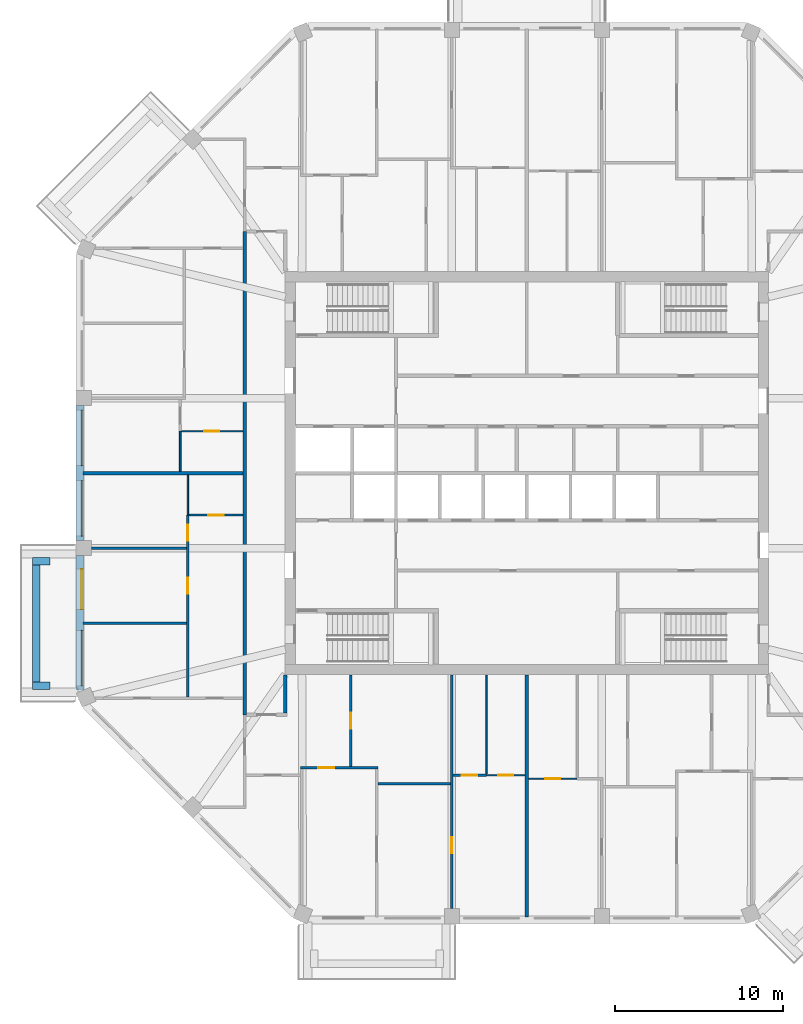
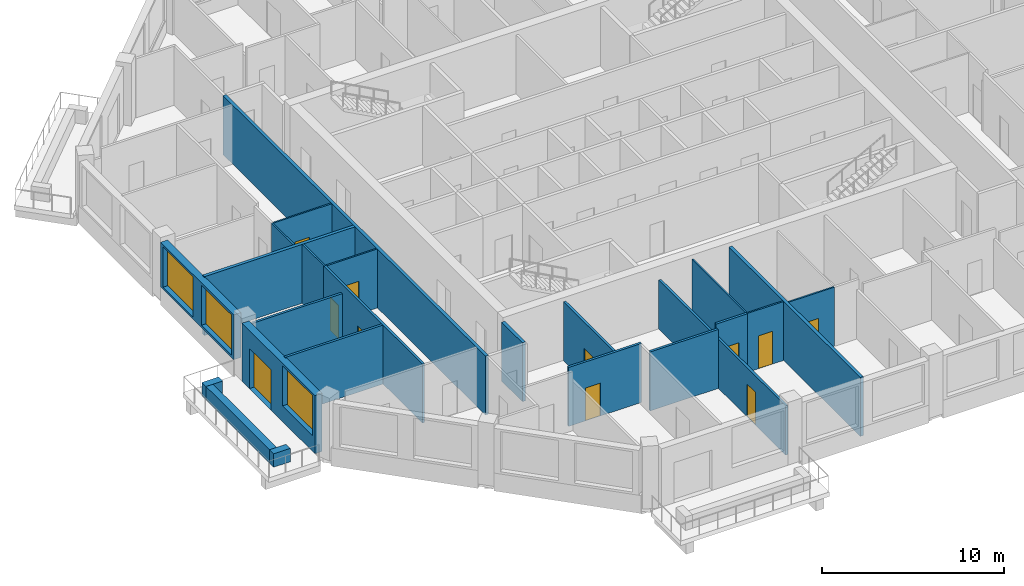
# One storey, part 3 of 11: 24 walls, 11 doors, 3 windows, 14 openings.
"""IFC4 building model written with IfcOpenShell, lengths in metres."""

from ifc_helpers import new_model, si_unit, direction, frame, frame_2d, origin, place, context, subcontext, project, spatial, rectangle, extrude, material, layer, layer_set, type_object, element, fill, save


model = new_model("IFC4")

# Units and contexts
model_context = context("Model", 3, precision=1e-05, world=origin(), true_north=direction((0.0, 1.0)))
body_context = subcontext(model_context, "Body", "Model", "MODEL_VIEW")
ifc_project = project(units=[si_unit("LENGTHUNIT", "METRE"), si_unit("AREAUNIT", "SQUARE_METRE"), si_unit("VOLUMEUNIT", "CUBIC_METRE"), si_unit("PLANEANGLEUNIT", "RADIAN"), si_unit("MASSUNIT", "GRAM", prefix="KILO")], contexts=[model_context])

# Site, building, storey
site_placement = place(None, origin())
site = spatial("IfcSite", under=ifc_project, at=site_placement, CompositionType="ELEMENT")
building_placement = place(site_placement, origin())
building = spatial("IfcBuilding", under=site, at=building_placement, Name="Msitu Wima Residences", CompositionType="ELEMENT")
storey_placement = place(building_placement, frame((0.0, 0.0, 226.5)))
storey = spatial("IfcBuildingStorey", under=building, at=storey_placement, Name="L52", CompositionType="ELEMENT", Elevation=226.5)

# Walls
ifc_material_1 = material(Name="Facing brick")
ifc_layer_1 = layer(ifc_material_1, 0.06494140625, Name="Facing brick")
ifc_material_2 = material(Name="Concrete C40/50", Category="concrete")
ifc_layer_2 = layer(ifc_material_2, 0.156005859375, Name="Concrete C40/50")
ifc_material_3 = material(Name="Waterproofing membrane")
ifc_layer_3 = layer(ifc_material_3, 0.00390625, Name="Waterproofing membrane")
ifc_material_4 = material(Name="Planting soil and planting")
ifc_layer_4 = layer(ifc_material_4, 0.22509765625, Name="Planting soil and planting")
ifc_layer_set_1 = layer_set([ifc_layer_1, ifc_layer_2, ifc_layer_3, ifc_layer_4], Name="Concrete C40/50")
wall_type_1 = type_object("IfcWallType", Name="Balcony planter PLANTER PL450", PredefinedType="USERDEFINED", material=ifc_layer_set_1)
wall_1_placement = place(storey_placement, frame((-29.22509765625, -5.468505859375, 0.0), z_axis=(0.0, 0.0, 1.0), x_axis=(0.0, -1.0, 0.0)))
element("IfcWall", 1, at=wall_1_placement, inside=storey, type_object=wall_type_1, Name="Balcony planter W2 L52", ObjectType="PLANTER", PredefinedType="USERDEFINED", context=body_context, shape_type="SweptSolid", body=[
    extrude(rectangle(XDim=6.9873046875, YDim=0.449951171875, at=frame_2d((3.49365234375, 0.0))), origin(), (0.0, 0.0, 1.0), 0.89990234375),
])
for number, where, z_axis, x_axis, name in (
    (2, (-28.39990234375, -5.24365234375, 0.0), (0.0, 0.0, 1.0), (-1.0, 0.0, 0.0), "Balcony planter W2 L52"),
    (3, (-28.39990234375, -12.680908203125, 0.0), (0.0, 0.0, 1.0), (-1.0, 0.0, 0.0), "Balcony planter W2 L52"),
):
    element("IfcWall", number, at=place(storey_placement, frame(where, z_axis=z_axis, x_axis=x_axis)), inside=storey, type_object=wall_type_1, Name=name, ObjectType="PLANTER", PredefinedType="USERDEFINED", context=body_context, shape_type="SweptSolid", body=[
        extrude(rectangle(XDim=1.050048828125, YDim=0.449951171875, at=frame_2d((0.52490234375, 0.0))), origin(), (0.0, 0.0, 1.0), 0.89990234375),
    ])

# Wall, openings, windows
ifc_material_5 = material(Name="Brick (red buff mix)", Category="masonry")
ifc_layer_5 = layer(ifc_material_5, 0.449951171875)
ifc_layer_set_2 = layer_set([ifc_layer_5], Name="Brick (red buff mix)")
wall_type_2 = type_object("IfcWallType", Name="Brick infill wall BW450", PredefinedType="SOLIDWALL", material=ifc_layer_set_2)
wall_2_placement = place(storey_placement, frame((-26.625, 4.0185546875, 0.89990234375), z_axis=(0.0, 0.0, 1.0), x_axis=(0.0, -1.0, 0.0)))
wall_2 = element("IfcWall", 4, at=wall_2_placement, inside=storey, type_object=wall_type_2, Name="Brick infill wall L52 W1", PredefinedType="SOLIDWALL", context=body_context, shape_type="SweptSolid", body=[
    extrude(rectangle(XDim=8.037109375, YDim=0.449951171875, at=frame_2d((4.0185546875, 0.0))), origin(), (0.0, 0.0, 1.0), 3.0),
])
opening_1_placement = place(wall_2_placement, frame((0.2685546875, 0.0, 0.14990234375)))
opening_1 = element("IfcOpeningElement", 5, at=opening_1_placement, cuts=wall_2, Name="Opening W52-54.031", PredefinedType="OPENING", context=body_context, shape_type="SweptSolid", body=[
    extrude(rectangle(XDim=3.300048828125, YDim=2.699951171875, at=frame_2d((1.64990234375, 1.35009765625))), frame((0.0, 0.23486328125, 0.0), z_axis=(0.0, -1.0, 0.0), x_axis=(1.0, 0.0, 0.0)), (0.0, 0.0, 1.0), 0.469970703125),
])
opening_2_placement = place(wall_2_placement, frame((4.46875, 0.0, 0.14990234375)))
opening_2 = element("IfcOpeningElement", 6, at=opening_2_placement, cuts=wall_2, Name="Opening W52-54.032", PredefinedType="OPENING", context=body_context, shape_type="SweptSolid", body=[
    extrude(rectangle(XDim=3.300048828125, YDim=2.699951171875, at=frame_2d((1.64990234375, 1.35009765625))), frame((0.0, 0.23486328125, 0.0), z_axis=(0.0, -1.0, 0.0), x_axis=(1.0, 0.0, 0.0)), (0.0, 0.0, 1.0), 0.469970703125),
])
ifc_material_6 = material(Name="Anodised aluminium, bronze finish, clear low-emissivity double glazing", Category="aluminium")
window_type = type_object("IfcWindowType", Name="Window W3300x2700", PartitioningType="DOUBLE_PANEL_VERTICAL", PredefinedType="WINDOW", material=ifc_material_6)
window_1_placement = place(opening_1_placement, origin())
window_1 = element("IfcWindow", 7, at=window_1_placement, inside=storey, type_object=window_type, Name="Window L52 W1.1", OverallHeight=2.699951171875, OverallWidth=3.300048828125, PartitioningType="SINGLE_PANEL", PredefinedType="WINDOW", context=body_context, shape_type="SweptSolid", body=[
    extrude(rectangle(XDim=3.300048828125, YDim=2.699951171875, at=frame_2d((1.64990234375, 1.35009765625))), frame((0.0, 0.135009765625, 0.0), z_axis=(0.0, -1.0, 0.0), x_axis=(1.0, 0.0, 0.0)), (0.0, 0.0, 1.0), 0.06005859375),
])
fill(opening_1, window_1)
window_2_placement = place(opening_2_placement, origin())
window_2 = element("IfcWindow", 8, at=window_2_placement, inside=storey, type_object=window_type, Name="Window L52 W1.2", OverallHeight=2.699951171875, OverallWidth=3.300048828125, PartitioningType="SINGLE_PANEL", PredefinedType="WINDOW", context=body_context, shape_type="SweptSolid", body=[
    extrude(rectangle(XDim=3.300048828125, YDim=2.699951171875, at=frame_2d((1.64990234375, 1.35009765625))), frame((0.0, 0.135009765625, 0.0), z_axis=(0.0, -1.0, 0.0), x_axis=(1.0, 0.0, 0.0)), (0.0, 0.0, 1.0), 0.06005859375),
])
fill(opening_2, window_2)

# Wall, openings, door, window
wall_3_placement = place(storey_placement, frame((-26.625, -4.918701171875, 0.0), z_axis=(0.0, 0.0, 1.0), x_axis=(0.0, -1.0, 0.0)))
wall_3 = element("IfcWall", 9, at=wall_3_placement, inside=storey, type_object=wall_type_2, Name="Brick infill wall L52 W2", PredefinedType="SOLIDWALL", context=body_context, shape_type="SweptSolid", body=[
    extrude(rectangle(XDim=8.0, YDim=0.449951171875, at=frame_2d((4.0, 0.0))), origin(), (0.0, 0.0, 1.0), 3.89990234375),
])
opening_3_placement = place(wall_3_placement, frame((0.800048828125, 0.0, 0.0)))
opening_3 = element("IfcOpeningElement", 10, at=opening_3_placement, cuts=wall_3, Name="Opening D52-54.007", PredefinedType="OPENING", context=body_context, shape_type="SweptSolid", body=[
    extrude(rectangle(XDim=2.39990234375, YDim=2.699951171875, at=frame_2d((1.199951171875, 1.35009765625))), frame((0.0, 0.23486328125, 0.0), z_axis=(0.0, -1.0, 0.0), x_axis=(1.0, 0.0, 0.0)), (0.0, 0.0, 1.0), 0.469970703125),
])
opening_4_placement = place(wall_3_placement, frame((4.4501953125, 0.0, 1.050048828125)))
opening_4 = element("IfcOpeningElement", 11, at=opening_4_placement, cuts=wall_3, Name="Opening W52-54.033", PredefinedType="OPENING", context=body_context, shape_type="SweptSolid", body=[
    extrude(rectangle(XDim=3.300048828125, YDim=2.699951171875, at=frame_2d((1.64990234375, 1.35009765625))), frame((0.0, 0.23486328125, 0.0), z_axis=(0.0, -1.0, 0.0), x_axis=(1.0, 0.0, 0.0)), (0.0, 0.0, 1.0), 0.469970703125),
])
door_type_1 = type_object("IfcDoorType", Name="Balcony door D2400x2700", OperationType="SLIDING_TO_LEFT", PredefinedType="DOOR", material=ifc_material_6)
door_1_placement = place(opening_3_placement, origin())
door_1 = element("IfcDoor", 12, at=door_1_placement, inside=storey, type_object=door_type_1, Name="Balcony door L52 W2", OperationType="SINGLE_SWING_LEFT", OverallHeight=2.699951171875, OverallWidth=2.39990234375, PredefinedType="DOOR", context=body_context, shape_type="SweptSolid", body=[
    extrude(rectangle(XDim=2.39990234375, YDim=2.699951171875, at=frame_2d((1.199951171875, 1.35009765625))), frame((0.0, 0.1298828125, 0.0), z_axis=(0.0, -1.0, 0.0), x_axis=(1.0, 0.0, 0.0)), (0.0, 0.0, 1.0), 0.050048828125),
])
fill(opening_3, door_1)
window_3_placement = place(opening_4_placement, origin())
window_3 = element("IfcWindow", 13, at=window_3_placement, inside=storey, type_object=window_type, Name="Window L52 W2.2", OverallHeight=2.699951171875, OverallWidth=3.300048828125, PartitioningType="SINGLE_PANEL", PredefinedType="WINDOW", context=body_context, shape_type="SweptSolid", body=[
    extrude(rectangle(XDim=3.300048828125, YDim=2.699951171875, at=frame_2d((1.64990234375, 1.35009765625))), frame((0.0, 0.135009765625, 0.0), z_axis=(0.0, -1.0, 0.0), x_axis=(1.0, 0.0, 0.0)), (0.0, 0.0, 1.0), 0.06005859375),
])
fill(opening_4, window_3)

# Walls
ifc_material_7 = material(Name="Plaster")
ifc_layer_6 = layer(ifc_material_7, 0.011962890625, Name="Plaster")
ifc_material_8 = material(Name="Concrete blockwork", Category="masonry")
ifc_layer_7 = layer(ifc_material_8, 0.176025390625, Name="Concrete blockwork")
ifc_layer_8 = layer(ifc_material_7, 0.011962890625, Name="Plaster")
ifc_layer_set_3 = layer_set([ifc_layer_6, ifc_layer_7, ifc_layer_8], Name="Concrete blockwork")
wall_type_3 = type_object("IfcWallType", Name="Corridor wall FW200", PredefinedType="PARTITIONING", material=ifc_layer_set_3)
wall_4_placement = place(storey_placement, frame((-16.800048828125, -14.39990234375, 0.0), z_axis=(0.0, 0.0, 1.0), x_axis=(0.0, 1.0, 0.0)))
element("IfcWall", 14, at=wall_4_placement, inside=storey, type_object=wall_type_3, Name="Corridor wall", PredefinedType="PARTITIONING", context=body_context, shape_type="SweptSolid", body=[
    extrude(rectangle(XDim=28.7998046875, YDim=0.199951171875, at=frame_2d((14.39990234375, 0.0))), origin(), (0.0, 0.0, 1.0), 3.949951171875),
])
wall_5_placement = place(storey_placement, frame((-14.39990234375, -14.300048828125, 0.0), z_axis=(0.0, 0.0, 1.0), x_axis=(0.0, 1.0, 0.0)))
element("IfcWall", 15, at=wall_5_placement, inside=storey, type_object=wall_type_3, Name="Corridor wall", PredefinedType="PARTITIONING", context=body_context, shape_type="SweptSolid", body=[
    extrude(rectangle(XDim=2.27001953125, YDim=0.199951171875, at=frame_2d((1.135009765625, 0.0))), origin(), (0.0, 0.0, 1.0), 3.949951171875),
])
ifc_layer_9 = layer(ifc_material_7, 0.011962890625, Name="Plaster")
ifc_layer_10 = layer(ifc_material_8, 0.1259765625, Name="Concrete blockwork")
ifc_layer_11 = layer(ifc_material_7, 0.011962890625, Name="Plaster")
ifc_layer_set_4 = layer_set([ifc_layer_9, ifc_layer_10, ifc_layer_11], Name="Concrete blockwork")
wall_type_4 = type_object("IfcWallType", Name="Partition PW150", PredefinedType="PARTITIONING", material=ifc_layer_set_4)
wall_6_placement = place(storey_placement, frame((-26.455078125, -8.937255859375, 0.0), z_axis=(0.0, 0.0, 1.0), x_axis=(1.0, 0.0, 0.0)))
element("IfcWall", 16, at=wall_6_placement, inside=storey, type_object=wall_type_4, Name="Partition", PredefinedType="PARTITIONING", context=body_context, shape_type="SweptSolid", body=[
    extrude(rectangle(XDim=6.18017578125, YDim=0.14990234375, at=frame_2d((3.090087890625, 0.0))), origin(), (0.0, 0.0, 1.0), 3.949951171875),
])
wall_7_placement = place(storey_placement, frame((-25.949951171875, -4.46875, 0.0), z_axis=(0.0, 0.0, 1.0), x_axis=(1.0, 0.0, 0.0)))
element("IfcWall", 17, at=wall_7_placement, inside=storey, type_object=wall_type_4, Name="Partition", PredefinedType="PARTITIONING", context=body_context, shape_type="SweptSolid", body=[
    extrude(rectangle(XDim=5.675048828125, YDim=0.14990234375, at=frame_2d((2.83740234375, 0.0))), origin(), (0.0, 0.0, 1.0), 3.35009765625),
])

# Wall, openings, doors
wall_8_placement = place(storey_placement, frame((-20.199951171875, -13.330810546875, 0.0), z_axis=(0.0, 0.0, 1.0), x_axis=(0.0, 1.0, 0.0)))
wall_8 = element("IfcWall", 18, at=wall_8_placement, inside=storey, type_object=wall_type_4, Name="Partition", PredefinedType="PARTITIONING", context=body_context, shape_type="SweptSolid", body=[
    extrude(rectangle(XDim=10.830810546875, YDim=0.14990234375, at=frame_2d((5.41552734375, 0.0))), origin(), (0.0, 0.0, 1.0), 3.949951171875),
])
opening_5_placement = place(wall_8_placement, frame((9.300048828125, 0.0, 0.0)))
opening_5 = element("IfcOpeningElement", 19, at=opening_5_placement, cuts=wall_8, Name="Opening D52-54.048", PredefinedType="OPENING", context=body_context, shape_type="SweptSolid", body=[
    extrude(rectangle(XDim=0.949951171875, YDim=2.199951171875, at=frame_2d((0.47509765625, 1.10009765625))), frame((0.0, 0.0849609375, 0.0), z_axis=(0.0, -1.0, 0.0), x_axis=(1.0, 0.0, 0.0)), (0.0, 0.0, 1.0), 0.169921875),
])
opening_6_placement = place(wall_8_placement, frame((6.14990234375, 0.0, 0.0)))
opening_6 = element("IfcOpeningElement", 20, at=opening_6_placement, cuts=wall_8, Name="Opening D52-54.049", PredefinedType="OPENING", context=body_context, shape_type="SweptSolid", body=[
    extrude(rectangle(XDim=0.949951171875, YDim=2.199951171875, at=frame_2d((0.47509765625, 1.10009765625))), frame((0.0, 0.0849609375, 0.0), z_axis=(0.0, -1.0, 0.0), x_axis=(1.0, 0.0, 0.0)), (0.0, 0.0, 1.0), 0.169921875),
])
ifc_material_9 = material(Name="Timber flush door", Category="wood")
door_type_2 = type_object("IfcDoorType", Name="Room door D12 950x2200", OperationType="SINGLE_SWING_LEFT", PredefinedType="DOOR", material=ifc_material_9)
door_2_placement = place(opening_5_placement, origin())
door_2 = element("IfcDoor", 21, at=door_2_placement, inside=storey, type_object=door_type_2, Name="Room door", OperationType="SINGLE_SWING_LEFT", OverallHeight=2.199951171875, OverallWidth=0.949951171875, PredefinedType="DOOR", context=body_context, shape_type="SweptSolid", body=[
    extrude(rectangle(XDim=0.949951171875, YDim=2.199951171875, at=frame_2d((0.47509765625, 1.10009765625))), frame((0.0, 0.02490234375, 0.0), z_axis=(0.0, -1.0, 0.0), x_axis=(1.0, 0.0, 0.0)), (0.0, 0.0, 1.0), 0.050048828125),
])
fill(opening_5, door_2)
door_3_placement = place(opening_6_placement, origin())
door_3 = element("IfcDoor", 22, at=door_3_placement, inside=storey, type_object=door_type_2, Name="Room door", OperationType="SINGLE_SWING_LEFT", OverallHeight=2.199951171875, OverallWidth=0.949951171875, PredefinedType="DOOR", context=body_context, shape_type="SweptSolid", body=[
    extrude(rectangle(XDim=0.949951171875, YDim=2.199951171875, at=frame_2d((0.47509765625, 1.10009765625))), frame((0.0, 0.02490234375, 0.0), z_axis=(0.0, -1.0, 0.0), x_axis=(1.0, 0.0, 0.0)), (0.0, 0.0, 1.0), 0.050048828125),
])
fill(opening_6, door_3)

# Wall, opening, door
wall_9_placement = place(storey_placement, frame((-13.48095703125, -17.550048828125, 0.0), z_axis=(0.0, 0.0, 1.0), x_axis=(1.0, 0.0, 0.0)))
wall_9 = element("IfcWall", 23, at=wall_9_placement, inside=storey, type_object=wall_type_4, Name="Partition", PredefinedType="PARTITIONING", context=body_context, shape_type="SweptSolid", body=[
    extrude(rectangle(XDim=4.61865234375, YDim=0.14990234375, at=frame_2d((2.309326171875, 0.0))), origin(), (0.0, 0.0, 1.0), 3.949951171875),
])
opening_7_placement = place(wall_9_placement, frame((1.050048828125, 0.0, 0.0)))
opening_7 = element("IfcOpeningElement", 24, at=opening_7_placement, cuts=wall_9, Name="Opening D52-54.043", PredefinedType="OPENING", context=body_context, shape_type="SweptSolid", body=[
    extrude(rectangle(XDim=0.949951171875, YDim=2.199951171875, at=frame_2d((0.47509765625, 1.10009765625))), frame((0.0, 0.0849609375, 0.0), z_axis=(0.0, -1.0, 0.0), x_axis=(1.0, 0.0, 0.0)), (0.0, 0.0, 1.0), 0.169921875),
])
door_4_placement = place(opening_7_placement, origin())
door_4 = element("IfcDoor", 25, at=door_4_placement, inside=storey, type_object=door_type_2, Name="Room door", OperationType="SINGLE_SWING_RIGHT", OverallHeight=2.199951171875, OverallWidth=0.949951171875, PredefinedType="DOOR", context=body_context, shape_type="SweptSolid", body=[
    extrude(rectangle(XDim=0.949951171875, YDim=2.199951171875, at=frame_2d((0.47509765625, 1.10009765625))), frame((0.0, 0.02490234375, 0.0), z_axis=(0.0, -1.0, 0.0), x_axis=(1.0, 0.0, 0.0)), (0.0, 0.0, 1.0), 0.050048828125),
])
fill(opening_7, door_4)

wall_10_placement = place(storey_placement, frame((-10.5, -17.47509765625, 0.0), z_axis=(0.0, 0.0, 1.0), x_axis=(0.0, 1.0, 0.0)))
wall_10 = element("IfcWall", 26, at=wall_10_placement, inside=storey, type_object=wall_type_4, Name="Partition", PredefinedType="PARTITIONING", context=body_context, shape_type="SweptSolid", body=[
    extrude(rectangle(XDim=5.445068359375, YDim=0.14990234375, at=frame_2d((2.72265625, 0.0))), origin(), (0.0, 0.0, 1.0), 3.949951171875),
])
opening_8_placement = place(wall_10_placement, frame((2.25, 0.0, 0.0)))
opening_8 = element("IfcOpeningElement", 27, at=opening_8_placement, cuts=wall_10, Name="Opening D52-54.038", PredefinedType="OPENING", context=body_context, shape_type="SweptSolid", body=[
    extrude(rectangle(XDim=0.949951171875, YDim=2.199951171875, at=frame_2d((0.47509765625, 1.10009765625))), frame((0.0, 0.0849609375, 0.0), z_axis=(0.0, -1.0, 0.0), x_axis=(1.0, 0.0, 0.0)), (0.0, 0.0, 1.0), 0.169921875),
])
door_5_placement = place(opening_8_placement, origin())
door_5 = element("IfcDoor", 28, at=door_5_placement, inside=storey, type_object=door_type_2, Name="Room door", OperationType="SINGLE_SWING_RIGHT", OverallHeight=2.199951171875, OverallWidth=0.949951171875, PredefinedType="DOOR", context=body_context, shape_type="SweptSolid", body=[
    extrude(rectangle(XDim=0.949951171875, YDim=2.199951171875, at=frame_2d((0.47509765625, 1.10009765625))), frame((0.0, 0.02490234375, 0.0), z_axis=(0.0, -1.0, 0.0), x_axis=(1.0, 0.0, 0.0)), (0.0, 0.0, 1.0), 0.050048828125),
])
fill(opening_8, door_5)

# Wall
wall_11_placement = place(storey_placement, frame((-8.8623046875, -18.5, 0.0), z_axis=(0.0, 0.0, 1.0), x_axis=(1.0, 0.0, 0.0)))
element("IfcWall", 29, at=wall_11_placement, inside=storey, type_object=wall_type_4, Name="Partition", PredefinedType="PARTITIONING", context=body_context, shape_type="SweptSolid", body=[
    extrude(rectangle(XDim=4.318603515625, YDim=0.14990234375, at=frame_2d((2.1591796875, 0.0))), origin(), (0.0, 0.0, 1.0), 3.949951171875),
])

# Wall, opening, door
wall_12_placement = place(storey_placement, frame((-4.46875, -25.949951171875, 0.0), z_axis=(0.0, 0.0, 1.0), x_axis=(0.0, 1.0, 0.0)))
wall_12 = element("IfcWall", 30, at=wall_12_placement, inside=storey, type_object=wall_type_4, Name="Partition", PredefinedType="PARTITIONING", context=body_context, shape_type="SweptSolid", body=[
    extrude(rectangle(XDim=13.919921875, YDim=0.14990234375, at=frame_2d((6.9599609375, 0.0))), origin(), (0.0, 0.0, 1.0), 3.300048828125),
])
opening_9_placement = place(wall_12_placement, frame((3.300048828125, 0.0, 0.0)))
opening_9 = element("IfcOpeningElement", 31, at=opening_9_placement, cuts=wall_12, Name="Opening D52-54.039", PredefinedType="OPENING", context=body_context, shape_type="SweptSolid", body=[
    extrude(rectangle(XDim=0.949951171875, YDim=2.199951171875, at=frame_2d((0.47509765625, 1.10009765625))), frame((0.0, 0.0849609375, 0.0), z_axis=(0.0, -1.0, 0.0), x_axis=(1.0, 0.0, 0.0)), (0.0, 0.0, 1.0), 0.169921875),
])
door_6_placement = place(opening_9_placement, origin())
door_6 = element("IfcDoor", 32, at=door_6_placement, inside=storey, type_object=door_type_2, Name="Room door", OperationType="SINGLE_SWING_RIGHT", OverallHeight=2.199951171875, OverallWidth=0.949951171875, PredefinedType="DOOR", context=body_context, shape_type="SweptSolid", body=[
    extrude(rectangle(XDim=0.949951171875, YDim=2.199951171875, at=frame_2d((0.47509765625, 1.10009765625))), frame((0.0, 0.02490234375, 0.0), z_axis=(0.0, -1.0, 0.0), x_axis=(1.0, 0.0, 0.0)), (0.0, 0.0, 1.0), 0.050048828125),
])
fill(opening_9, door_6)

wall_13_placement = place(storey_placement, frame((-4.3935546875, -18.0, 0.0), z_axis=(0.0, 0.0, 1.0), x_axis=(1.0, 0.0, 0.0)))
wall_13 = element("IfcWall", 33, at=wall_13_placement, inside=storey, type_object=wall_type_4, Name="Partition", PredefinedType="PARTITIONING", context=body_context, shape_type="SweptSolid", body=[
    extrude(rectangle(XDim=1.99365234375, YDim=0.14990234375, at=frame_2d((0.996826171875, 0.0))), origin(), (0.0, 0.0, 1.0), 3.949951171875),
])
opening_10_placement = place(wall_13_placement, frame((0.5, 0.0, 0.0)))
opening_10 = element("IfcOpeningElement", 34, at=opening_10_placement, cuts=wall_13, Name="Opening D52-54.042", PredefinedType="OPENING", context=body_context, shape_type="SweptSolid", body=[
    extrude(rectangle(XDim=0.949951171875, YDim=2.199951171875, at=frame_2d((0.47509765625, 1.10009765625))), frame((0.0, 0.0849609375, 0.0), z_axis=(0.0, -1.0, 0.0), x_axis=(1.0, 0.0, 0.0)), (0.0, 0.0, 1.0), 0.169921875),
])
door_7_placement = place(opening_10_placement, origin())
door_7 = element("IfcDoor", 35, at=door_7_placement, inside=storey, type_object=door_type_2, Name="Room door", OperationType="SINGLE_SWING_RIGHT", OverallHeight=2.199951171875, OverallWidth=0.949951171875, PredefinedType="DOOR", context=body_context, shape_type="SweptSolid", body=[
    extrude(rectangle(XDim=0.949951171875, YDim=2.199951171875, at=frame_2d((0.47509765625, 1.10009765625))), frame((0.0, 0.02490234375, 0.0), z_axis=(0.0, -1.0, 0.0), x_axis=(1.0, 0.0, 0.0)), (0.0, 0.0, 1.0), 0.050048828125),
])
fill(opening_10, door_7)

# Walls
ifc_layer_12 = layer(ifc_material_7, 0.011962890625, Name="Plaster")
ifc_material_10 = material(Name="Dense concrete blockwork", Category="masonry")
ifc_layer_13 = layer(ifc_material_10, 0.176025390625, Name="Dense concrete blockwork")
ifc_layer_14 = layer(ifc_material_7, 0.011962890625, Name="Plaster")
ifc_layer_set_5 = layer_set([ifc_layer_12, ifc_layer_13, ifc_layer_14], Name="Dense concrete blockwork")
wall_type_5 = type_object("IfcWallType", Name="Party wall PW200", PredefinedType="PARTITIONING", material=ifc_layer_set_5)
wall_14_placement = place(storey_placement, frame((-26.455078125, 0.0, 0.0), z_axis=(0.0, 0.0, 1.0), x_axis=(1.0, 0.0, 0.0)))
element("IfcWall", 36, at=wall_14_placement, inside=storey, type_object=wall_type_5, Name="Party wall", PredefinedType="PARTITIONING", context=body_context, shape_type="SweptSolid", body=[
    extrude(rectangle(XDim=9.55517578125, YDim=0.199951171875, at=frame_2d((4.777587890625, 0.0))), origin(), (0.0, 0.0, 1.0), 3.949951171875),
])
wall_15_placement = place(storey_placement, frame((0.0, -26.455078125, 0.0), z_axis=(0.0, 0.0, 1.0), x_axis=(0.0, 1.0, 0.0)))
element("IfcWall", 37, at=wall_15_placement, inside=storey, type_object=wall_type_5, Name="Party wall", PredefinedType="PARTITIONING", context=body_context, shape_type="SweptSolid", body=[
    extrude(rectangle(XDim=14.425048828125, YDim=0.199951171875, at=frame_2d((7.21240234375, 0.0))), origin(), (0.0, 0.0, 1.0), 3.949951171875),
])
ifc_material_11 = material(Name="Ceramic tiles")
ifc_layer_15 = layer(ifc_material_11, 0.008056640625, Name="Ceramic tiles")
ifc_material_12 = material(Name="Moisture-resistant board")
ifc_layer_16 = layer(ifc_material_12, 0.012451171875, Name="Moisture-resistant board")
ifc_material_13 = material(Name="Light-gauge stud framing with mineral wool")
ifc_layer_17 = layer(ifc_material_13, 0.06689453125, Name="Light-gauge stud framing with mineral wool")
ifc_layer_18 = layer(ifc_material_12, 0.012451171875, Name="Moisture-resistant board")
ifc_layer_set_6 = layer_set([ifc_layer_15, ifc_layer_16, ifc_layer_17, ifc_layer_18], Name="Light-gauge stud framing with mineral wool")
wall_type_6 = type_object("IfcWallType", Name="Wet wall PW100", PredefinedType="PARTITIONING", material=ifc_layer_set_6)
wall_16_placement = place(storey_placement, frame((-20.64990234375, 0.10009765625, 0.0), z_axis=(0.0, 0.0, 1.0), x_axis=(0.0, 1.0, 0.0)))
element("IfcWall", 38, at=wall_16_placement, inside=storey, type_object=wall_type_6, Name="Wet wall", PredefinedType="PARTITIONING", context=body_context, shape_type="SweptSolid", body=[
    extrude(rectangle(XDim=2.39990234375, YDim=0.10009765625, at=frame_2d((1.199951171875, 0.0))), origin(), (0.0, 0.0, 1.0), 3.949951171875),
])

# Wall, opening, door
wall_17_placement = place(storey_placement, frame((-20.574951171875, 2.5, 0.0), z_axis=(0.0, 0.0, 1.0), x_axis=(1.0, 0.0, 0.0)))
wall_17 = element("IfcWall", 39, at=wall_17_placement, inside=storey, type_object=wall_type_6, Name="Wet wall", PredefinedType="PARTITIONING", context=body_context, shape_type="SweptSolid", body=[
    extrude(rectangle(XDim=3.675048828125, YDim=0.10009765625, at=frame_2d((1.83740234375, 0.0))), origin(), (0.0, 0.0, 1.0), 3.949951171875),
])
opening_11_placement = place(wall_17_placement, frame((1.35009765625, 0.0, 0.0)))
opening_11 = element("IfcOpeningElement", 40, at=opening_11_placement, cuts=wall_17, Name="Opening D52-54.026", PredefinedType="OPENING", context=body_context, shape_type="SweptSolid", body=[
    extrude(rectangle(XDim=0.89990234375, YDim=2.199951171875, at=frame_2d((0.449951171875, 1.10009765625))), frame((0.0, 0.06005859375, 0.0), z_axis=(0.0, -1.0, 0.0), x_axis=(1.0, 0.0, 0.0)), (0.0, 0.0, 1.0), 0.1201171875),
])
ifc_material_14 = material(Name="Timber flush door, moisture resistant", Category="wood")
door_type_3 = type_object("IfcDoorType", Name="Bathroom door D03 900x2200", OperationType="SINGLE_SWING_LEFT", PredefinedType="DOOR", material=ifc_material_14)
door_8_placement = place(opening_11_placement, origin())
door_8 = element("IfcDoor", 41, at=door_8_placement, inside=storey, type_object=door_type_3, Name="Bathroom door", OperationType="SINGLE_SWING_RIGHT", OverallHeight=2.199951171875, OverallWidth=0.89990234375, PredefinedType="DOOR", context=body_context, shape_type="SweptSolid", body=[
    extrude(rectangle(XDim=0.89990234375, YDim=2.199951171875, at=frame_2d((0.449951171875, 1.10009765625))), frame((0.0, 0.02490234375, 0.0), z_axis=(0.0, -1.0, 0.0), x_axis=(1.0, 0.0, 0.0)), (0.0, 0.0, 1.0), 0.050048828125),
])
fill(opening_11, door_8)

# Wall
wall_18_placement = place(storey_placement, frame((-20.199951171875, -2.5, 0.0), z_axis=(0.0, 0.0, 1.0), x_axis=(0.0, 1.0, 0.0)))
element("IfcWall", 42, at=wall_18_placement, inside=storey, type_object=wall_type_6, Name="Wet wall", PredefinedType="PARTITIONING", context=body_context, shape_type="SweptSolid", body=[
    extrude(rectangle(XDim=2.39990234375, YDim=0.10009765625, at=frame_2d((1.199951171875, 0.0))), origin(), (0.0, 0.0, 1.0), 3.949951171875),
])

# Wall, opening, door
wall_19_placement = place(storey_placement, frame((-20.125, -2.5, 0.0), z_axis=(0.0, 0.0, 1.0), x_axis=(1.0, 0.0, 0.0)))
wall_19 = element("IfcWall", 43, at=wall_19_placement, inside=storey, type_object=wall_type_6, Name="Wet wall", PredefinedType="PARTITIONING", context=body_context, shape_type="SweptSolid", body=[
    extrude(rectangle(XDim=3.22509765625, YDim=0.10009765625, at=frame_2d((1.612548828125, 0.0))), origin(), (0.0, 0.0, 1.0), 3.949951171875),
])
opening_12_placement = place(wall_19_placement, frame((1.14990234375, 0.0, 0.0)))
opening_12 = element("IfcOpeningElement", 44, at=opening_12_placement, cuts=wall_19, Name="Opening D52-54.040", PredefinedType="OPENING", context=body_context, shape_type="SweptSolid", body=[
    extrude(rectangle(XDim=0.89990234375, YDim=2.199951171875, at=frame_2d((0.449951171875, 1.10009765625))), frame((0.0, 0.06005859375, 0.0), z_axis=(0.0, -1.0, 0.0), x_axis=(1.0, 0.0, 0.0)), (0.0, 0.0, 1.0), 0.1201171875),
])
door_9_placement = place(opening_12_placement, origin())
door_9 = element("IfcDoor", 45, at=door_9_placement, inside=storey, type_object=door_type_3, Name="Bathroom door", OperationType="SINGLE_SWING_LEFT", OverallHeight=2.199951171875, OverallWidth=0.89990234375, PredefinedType="DOOR", context=body_context, shape_type="SweptSolid", body=[
    extrude(rectangle(XDim=0.89990234375, YDim=2.199951171875, at=frame_2d((0.449951171875, 1.10009765625))), frame((0.0, 0.02490234375, 0.0), z_axis=(0.0, -1.0, 0.0), x_axis=(1.0, 0.0, 0.0)), (0.0, 0.0, 1.0), 0.050048828125),
])
fill(opening_12, door_9)

# Wall
wall_20_placement = place(storey_placement, frame((-2.39990234375, -17.925048828125, 0.0), z_axis=(0.0, 0.0, 1.0), x_axis=(0.0, 1.0, 0.0)))
element("IfcWall", 46, at=wall_20_placement, inside=storey, type_object=wall_type_6, Name="Wet wall", PredefinedType="PARTITIONING", context=body_context, shape_type="SweptSolid", body=[
    extrude(rectangle(XDim=5.89501953125, YDim=0.10009765625, at=frame_2d((2.947509765625, 0.0))), origin(), (0.0, 0.0, 1.0), 3.949951171875),
])

# Wall, opening, door
wall_21_placement = place(storey_placement, frame((-2.39990234375, -18.0, 0.0), z_axis=(0.0, 0.0, 1.0), x_axis=(1.0, 0.0, 0.0)))
wall_21 = element("IfcWall", 47, at=wall_21_placement, inside=storey, type_object=wall_type_6, Name="Wet wall", PredefinedType="PARTITIONING", context=body_context, shape_type="SweptSolid", body=[
    extrude(rectangle(XDim=2.2998046875, YDim=0.10009765625, at=frame_2d((1.14990234375, 0.0))), origin(), (0.0, 0.0, 1.0), 3.949951171875),
])
opening_13_placement = place(wall_21_placement, frame((0.699951171875, 0.0, 0.0)))
opening_13 = element("IfcOpeningElement", 48, at=opening_13_placement, cuts=wall_21, Name="Opening D52-54.041", PredefinedType="OPENING", context=body_context, shape_type="SweptSolid", body=[
    extrude(rectangle(XDim=0.89990234375, YDim=2.199951171875, at=frame_2d((0.449951171875, 1.10009765625))), frame((0.0, 0.06005859375, 0.0), z_axis=(0.0, -1.0, 0.0), x_axis=(1.0, 0.0, 0.0)), (0.0, 0.0, 1.0), 0.1201171875),
])
door_10_placement = place(opening_13_placement, origin())
door_10 = element("IfcDoor", 49, at=door_10_placement, inside=storey, type_object=door_type_3, Name="Bathroom door", OperationType="SINGLE_SWING_LEFT", OverallHeight=2.199951171875, OverallWidth=0.89990234375, PredefinedType="DOOR", context=body_context, shape_type="SweptSolid", body=[
    extrude(rectangle(XDim=0.89990234375, YDim=2.199951171875, at=frame_2d((0.449951171875, 1.10009765625))), frame((0.0, 0.02490234375, 0.0), z_axis=(0.0, -1.0, 0.0), x_axis=(1.0, 0.0, 0.0)), (0.0, 0.0, 1.0), 0.050048828125),
])
fill(opening_13, door_10)

wall_22_placement = place(storey_placement, frame((0.10009765625, -18.199951171875, 0.0), z_axis=(0.0, 0.0, 1.0), x_axis=(1.0, 0.0, 0.0)))
wall_22 = element("IfcWall", 50, at=wall_22_placement, inside=storey, type_object=wall_type_6, Name="Wet wall", PredefinedType="PARTITIONING", context=body_context, shape_type="SweptSolid", body=[
    extrude(rectangle(XDim=2.89990234375, YDim=0.10009765625, at=frame_2d((1.449951171875, 0.0))), origin(), (0.0, 0.0, 1.0), 3.949951171875),
])
opening_14_placement = place(wall_22_placement, frame((1.0, 0.0, 0.0)))
opening_14 = element("IfcOpeningElement", 51, at=opening_14_placement, cuts=wall_22, Name="Opening D52-54.056", PredefinedType="OPENING", context=body_context, shape_type="SweptSolid", body=[
    extrude(rectangle(XDim=0.89990234375, YDim=2.199951171875, at=frame_2d((0.449951171875, 1.10009765625))), frame((0.0, 0.06005859375, 0.0), z_axis=(0.0, -1.0, 0.0), x_axis=(1.0, 0.0, 0.0)), (0.0, 0.0, 1.0), 0.1201171875),
])
door_11_placement = place(opening_14_placement, origin())
door_11 = element("IfcDoor", 52, at=door_11_placement, inside=storey, type_object=door_type_3, Name="Bathroom door", OperationType="SINGLE_SWING_RIGHT", OverallHeight=2.199951171875, OverallWidth=0.89990234375, PredefinedType="DOOR", context=body_context, shape_type="SweptSolid", body=[
    extrude(rectangle(XDim=0.89990234375, YDim=2.199951171875, at=frame_2d((0.449951171875, 1.10009765625))), frame((0.0, 0.02490234375, 0.0), z_axis=(0.0, -1.0, 0.0), x_axis=(1.0, 0.0, 0.0)), (0.0, 0.0, 1.0), 0.050048828125),
])
fill(opening_14, door_11)

save(model, "model.ifc")
